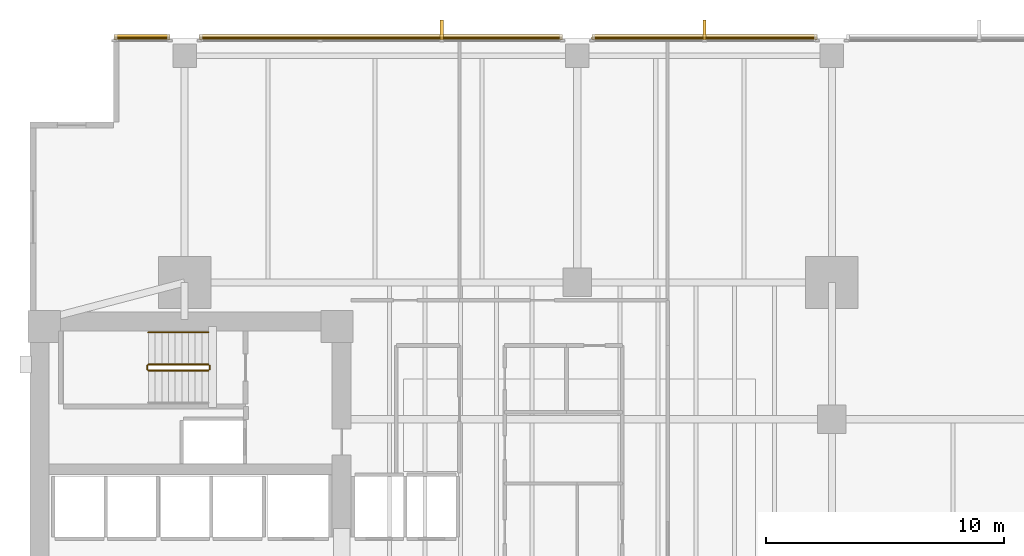
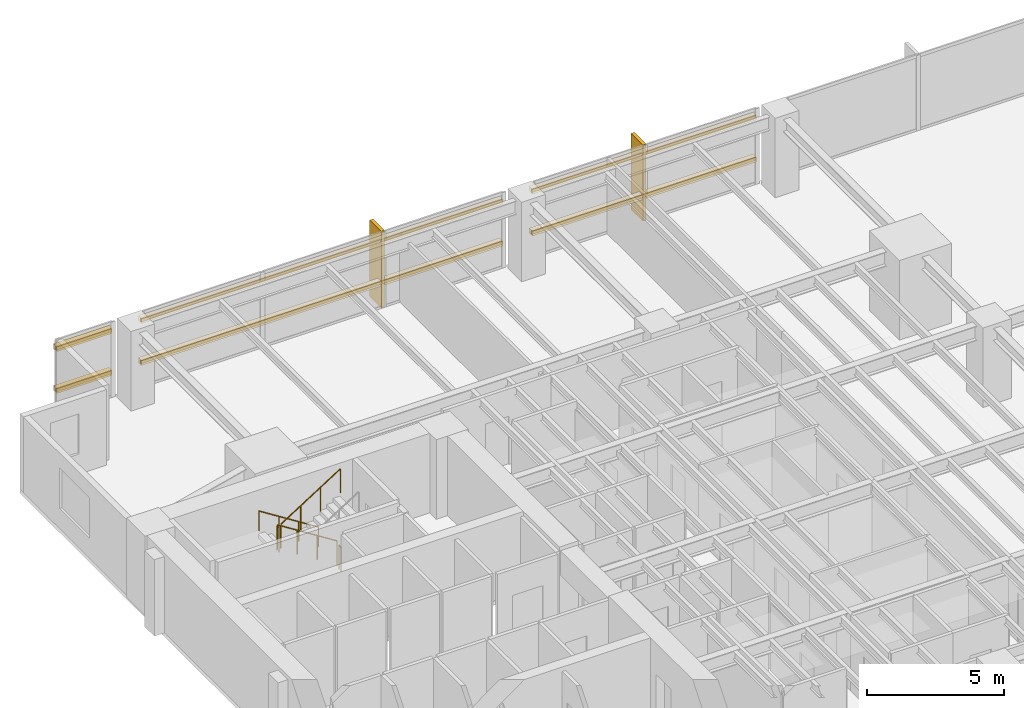
# One storey, part 14 of 15: 8 coverings, 6 shading devices, 5 railings.
"""IFC4 building model written with IfcOpenShell, lengths in metres."""

from ifc_helpers import new_model, si_unit, direction, frame, origin, origin_2d, place, context, subcontext, project, spatial, polyline, rectangle, circle, outline, extrude, material, layer, layer_set, material_profile, profile_set, type_object, element, save


model = new_model("IFC4")

# Units and contexts
model_context = context("Model", 3, precision=1e-05, world=origin(), true_north=direction((0.0, 1.0)))
body_context = subcontext(model_context, "Body", "Model", "MODEL_VIEW")
ifc_project = project(units=[si_unit("LENGTHUNIT", "METRE"), si_unit("AREAUNIT", "SQUARE_METRE"), si_unit("VOLUMEUNIT", "CUBIC_METRE"), si_unit("PLANEANGLEUNIT", "RADIAN"), si_unit("MASSUNIT", "GRAM", prefix="KILO")], contexts=[model_context])

# Site, building, storey
site_placement = place(None, origin())
site = spatial("IfcSite", under=ifc_project, at=site_placement, CompositionType="ELEMENT")
building_placement = place(site_placement, origin())
building = spatial("IfcBuilding", under=site, at=building_placement, Name="Kinhvarn Gate Tower", CompositionType="ELEMENT")
storey_placement = place(building_placement, frame((0.0, 0.0, 85.949951171875)))
storey = spatial("IfcBuildingStorey", under=building, at=storey_placement, Name="L22", CompositionType="ELEMENT", Elevation=85.949951171875)

# Coverings
ifc_material_1 = material(Name="Fired architectural terracotta", Category="masonry")
ifc_layer_1 = layer(ifc_material_1, 0.239990234375)
ifc_layer_set_1 = layer_set([ifc_layer_1], Name="Fired architectural terracotta")
covering_type_1 = type_object("IfcCoveringType", Name="COV-BAG-220", PredefinedType="CLADDING", material=ifc_layer_set_1)
covering_1_placement = place(storey_placement, frame((0.0, 0.0, 0.93994140625)))
element("IfcCovering", 1, at=covering_1_placement, inside=storey, type_object=covering_type_1, Name="Terracotta Horizontal Sunscreen Band TBG-220 (L22)", PredefinedType="CLADDING", context=body_context, shape_type="SweptSolid", body=[
    extrude(outline(polyline([(37.580078125, 47.93994140625), (28.1201171875, 47.93994140625), (28.1201171875, 48.179931640625), (37.580078125, 48.179931640625), (37.580078125, 47.93994140625)])), origin(), (0.0, 0.0, 1.0), 0.22021484375),
])
covering_2_placement = place(storey_placement, frame((0.0, 0.0, 2.81005859375)))
element("IfcCovering", 2, at=covering_2_placement, inside=storey, type_object=covering_type_1, Name="Terracotta Horizontal Sunscreen Band TBG-220 (L22)", PredefinedType="CLADDING", context=body_context, shape_type="SweptSolid", body=[
    extrude(outline(polyline([(37.580078125, 47.93994140625), (28.1201171875, 47.93994140625), (28.1201171875, 48.179931640625), (37.580078125, 48.179931640625), (37.580078125, 47.93994140625)])), origin(), (0.0, 0.0, 1.0), 0.219970703125),
])
covering_3_placement = place(storey_placement, frame((0.0, 0.0, 0.93994140625)))
element("IfcCovering", 3, at=covering_3_placement, inside=storey, type_object=covering_type_1, Name="Terracotta Horizontal Sunscreen Band TBG-220 (L22)", PredefinedType="CLADDING", context=body_context, shape_type="SweptSolid", body=[
    extrude(outline(polyline([(26.8798828125, 47.93994140625), (11.6201171875, 47.93994140625), (11.6201171875, 48.179931640625), (26.8798828125, 48.179931640625), (26.8798828125, 47.93994140625)])), origin(), (0.0, 0.0, 1.0), 0.22021484375),
])
covering_4_placement = place(storey_placement, frame((0.0, 0.0, 2.81005859375)))
element("IfcCovering", 4, at=covering_4_placement, inside=storey, type_object=covering_type_1, Name="Terracotta Horizontal Sunscreen Band TBG-220 (L22)", PredefinedType="CLADDING", context=body_context, shape_type="SweptSolid", body=[
    extrude(outline(polyline([(26.8798828125, 47.93994140625), (11.6201171875, 47.93994140625), (11.6201171875, 48.179931640625), (26.8798828125, 48.179931640625), (26.8798828125, 47.93994140625)])), origin(), (0.0, 0.0, 1.0), 0.219970703125),
])
covering_5_placement = place(storey_placement, frame((0.0, 0.0, 0.93994140625)))
element("IfcCovering", 5, at=covering_5_placement, inside=storey, type_object=covering_type_1, Name="Terracotta Horizontal Sunscreen Band TBG-220 (L22)", PredefinedType="CLADDING", context=body_context, shape_type="SweptSolid", body=[
    extrude(outline(polyline([(10.3798828125, 47.93994140625), (8.0400390625, 47.93994140625), (8.0400390625, 48.179931640625), (10.3798828125, 48.179931640625), (10.3798828125, 47.93994140625)])), origin(), (0.0, 0.0, 1.0), 0.22021484375),
])
covering_6_placement = place(storey_placement, frame((0.0, 0.0, 2.81005859375)))
element("IfcCovering", 6, at=covering_6_placement, inside=storey, type_object=covering_type_1, Name="Terracotta Horizontal Sunscreen Band TBG-220 (L22)", PredefinedType="CLADDING", context=body_context, shape_type="SweptSolid", body=[
    extrude(outline(polyline([(10.3798828125, 47.93994140625), (8.0400390625, 47.93994140625), (8.0400390625, 48.179931640625), (10.3798828125, 48.179931640625), (10.3798828125, 47.93994140625)])), origin(), (0.0, 0.0, 1.0), 0.219970703125),
])
ifc_layer_2 = layer(ifc_material_1, 0.139892578125)
ifc_layer_set_2 = layer_set([ifc_layer_2], Name="Fired architectural terracotta")
covering_type_2 = type_object("IfcCoveringType", Name="COV-FIN-850", PredefinedType="CLADDING", material=ifc_layer_set_2)
covering_7_placement = place(storey_placement, frame((0.0, 0.0, -0.02001953125)))
element("IfcCovering", 7, at=covering_7_placement, inside=storey, type_object=covering_type_2, Name="Vertical Terracotta Expressive Fin TFN-850 (L22)", PredefinedType="CLADDING", context=body_context, shape_type="SweptSolid", body=[
    extrude(outline(polyline([(32.919921875, 47.929931640625), (32.780029296875, 47.929931640625), (32.780029296875, 48.780029296875), (32.919921875, 48.780029296875), (32.919921875, 47.929931640625)])), origin(), (0.0, 0.0, 1.0), 3.41015625),
])
covering_8_placement = place(storey_placement, frame((0.0, 0.0, -0.02001953125)))
element("IfcCovering", 8, at=covering_8_placement, inside=storey, type_object=covering_type_2, Name="Vertical Terracotta Expressive Fin TFN-850 (L22)", PredefinedType="CLADDING", context=body_context, shape_type="SweptSolid", body=[
    extrude(outline(polyline([(21.876708984375, 47.929931640625), (21.73681640625, 47.929931640625), (21.73681640625, 48.780029296875), (21.876708984375, 48.780029296875), (21.876708984375, 47.929931640625)])), origin(), (0.0, 0.0, 1.0), 3.41015625),
])

# Railings
ifc_material_2 = material(Name="Steel S355", Category="steel")
railing_type_1 = type_object("IfcRailingType", Name="RL-ST-GRD", PredefinedType="BALUSTRADE", material=ifc_material_2)
railing_1_placement = place(storey_placement, frame((12.0, 34.300048828125, 0.177490234375)))
element("IfcRailing", 9, at=railing_1_placement, inside=storey, type_object=railing_type_1, Name="L22 ST2 stair guard 1", PredefinedType="BALUSTRADE", context=body_context, shape_type="SweptSolid", body=[
    extrude(circle(Radius=0.02392578125, at=origin_2d()), frame((0.0, 0.0, 1.076171875), z_axis=(-0.84456994832, 0.0, 0.535445237532), x_axis=(0.0, -1.0, 0.0)), (0.0, 0.0, 1.0), 2.98388671875),
    extrude(circle(Radius=0.02099609375, at=origin_2d()), origin(), (0.0, 0.0, 1.0), 1.052001953125),
    extrude(circle(Radius=0.02099609375, at=origin_2d()), frame((-0.840087890625, 0.0, 0.532470703125)), (0.0, 0.0, 1.0), 1.052001953125),
    extrude(circle(Radius=0.02099609375, at=origin_2d()), frame((-1.679931640625, 0.0, 1.065185546875)), (0.0, 0.0, 1.0), 1.052001953125),
    extrude(circle(Radius=0.02099609375, at=origin_2d()), frame((-2.52001953125, 0.0, 1.59765625)), (0.0, 0.0, 1.0), 1.052001953125),
])
railing_2_placement = place(storey_placement, frame((9.429931640625, 34.25, 1.775146484375)))
element("IfcRailing", 10, at=railing_2_placement, inside=storey, type_object=railing_type_1, Name="L22 ST2 stair guard 2", PredefinedType="BALUSTRADE", context=body_context, shape_type="SweptSolid", body=[
    extrude(circle(Radius=0.02392578125, at=origin_2d()), frame((0.0, 0.0, 1.076171875), z_axis=(0.0, -1.0, 0.0), x_axis=(1.0, 0.0, 0.0)), (0.0, 0.0, 1.0), 0.14990234375),
    extrude(circle(Radius=0.02099609375, at=origin_2d()), origin(), (0.0, 0.0, 1.0), 1.052001953125),
    extrude(circle(Radius=0.02099609375, at=origin_2d()), frame((0.0, -0.14990234375, 0.0)), (0.0, 0.0, 1.0), 1.052001953125),
])
railing_3_placement = place(storey_placement, frame((9.47998046875, 34.050048828125, 1.95263671875)))
element("IfcRailing", 11, at=railing_3_placement, inside=storey, type_object=railing_type_1, Name="L22 ST2 stair guard 3", PredefinedType="BALUSTRADE", context=body_context, shape_type="SweptSolid", body=[
    extrude(circle(Radius=0.02392578125, at=origin_2d()), frame((0.0, 0.0, 1.076171875), z_axis=(0.84460694969, 0.0, 0.535386869969), x_axis=(0.0, 1.0, 0.0)), (0.0, 0.0, 1.0), 2.983642578125),
    extrude(circle(Radius=0.02099609375, at=origin_2d()), origin(), (0.0, 0.0, 1.0), 1.052001953125),
    extrude(circle(Radius=0.02099609375, at=origin_2d()), frame((0.840087890625, 0.0, 0.532470703125)), (0.0, 0.0, 1.0), 1.052001953125),
    extrude(circle(Radius=0.02099609375, at=origin_2d()), frame((1.679931640625, 0.0, 1.06494140625)), (0.0, 0.0, 1.0), 1.052001953125),
    extrude(circle(Radius=0.02099609375, at=origin_2d()), frame((2.52001953125, 0.0, 1.597412109375)), (0.0, 0.0, 1.0), 1.052001953125),
])
railing_4_placement = place(storey_placement, frame((12.050048828125, 34.25, 0.0)))
element("IfcRailing", 12, at=railing_4_placement, inside=storey, type_object=railing_type_1, Name="L22 ST2 stair guard 4", PredefinedType="BALUSTRADE", context=body_context, shape_type="SweptSolid", body=[
    extrude(circle(Radius=0.02392578125, at=origin_2d()), frame((0.0, 0.0, 1.076171875), z_axis=(0.0, -1.0, 0.0), x_axis=(1.0, 0.0, 0.0)), (0.0, 0.0, 1.0), 0.14990234375),
    extrude(circle(Radius=0.02099609375, at=origin_2d()), origin(), (0.0, 0.0, 1.0), 1.052001953125),
    extrude(circle(Radius=0.02099609375, at=origin_2d()), frame((0.0, -0.14990234375, 0.0)), (0.0, 0.0, 1.0), 1.052001953125),
])
railing_type_2 = type_object("IfcRailingType", Name="RL-ST-HND", PredefinedType="HANDRAIL", material=ifc_material_2)
railing_5_placement = place(storey_placement, frame((12.0, 35.64990234375, 0.177490234375)))
element("IfcRailing", 13, at=railing_5_placement, inside=storey, type_object=railing_type_2, Name="L22 ST2 stair handrail 1", PredefinedType="HANDRAIL", context=body_context, shape_type="SweptSolid", body=[
    extrude(circle(Radius=0.02392578125, at=origin_2d()), frame((0.0, 0.0, 0.8759765625), z_axis=(-0.84456994832, 0.0, 0.535445237532), x_axis=(0.0, -1.0, 0.0)), (0.0, 0.0, 1.0), 2.98388671875),
    extrude(circle(Radius=0.02099609375, at=origin_2d()), origin(), (0.0, 0.0, 1.0), 0.851806640625),
    extrude(circle(Radius=0.02099609375, at=origin_2d()), frame((-0.840087890625, 0.0, 0.532470703125)), (0.0, 0.0, 1.0), 0.851806640625),
    extrude(circle(Radius=0.02099609375, at=origin_2d()), frame((-1.679931640625, 0.0, 1.065185546875)), (0.0, 0.0, 1.0), 0.851806640625),
    extrude(circle(Radius=0.02099609375, at=origin_2d()), frame((-2.52001953125, 0.0, 1.59765625)), (0.0, 0.0, 1.0), 0.851806640625),
])

# Shading devices
ifc_material_profile = material_profile(ifc_material_1, rectangle(XDim=0.06005859375, YDim=0.139892578125, at=origin_2d()), Name="TC 60x140")
ifc_profile_set = profile_set([ifc_material_profile], Name="Fired architectural terracotta")
shading_device_type = type_object("IfcShadingDeviceType", Name="SHD-BAG-180", PredefinedType="USERDEFINED", material=ifc_profile_set)
for number, where, z_axis, x_axis, name in (
    (14, (37.580078125, 48.014892578125, 1.050048828125), (-1.0, 0.0, 0.0), (0.0, -1.0, 0.0), "Fired Terracotta Baguette Screen Rod 60x140 mm (L22)"),
    (15, (37.580078125, 48.014892578125, 2.920166015625), (-1.0, 0.0, 0.0), (0.0, -1.0, 0.0), "Fired Terracotta Baguette Screen Rod 60x140 mm (L22)"),
):
    element("IfcShadingDevice", number, at=place(storey_placement, frame(where, z_axis=z_axis, x_axis=x_axis)), inside=storey, type_object=shading_device_type, Name=name, ObjectType="BAGUETTE", PredefinedType="USERDEFINED", context=body_context, shape_type="SweptSolid", body=[
        extrude(rectangle(XDim=0.06005859375, YDim=0.139892578125, at=origin_2d()), origin(), (0.0, 0.0, 1.0), 9.4599609375),
    ])
for number, where, z_axis, x_axis, name in (
    (16, (26.8798828125, 48.014892578125, 1.050048828125), (-1.0, 0.0, 0.0), (0.0, -1.0, 0.0), "Fired Terracotta Baguette Screen Rod 60x140 mm (L22)"),
    (17, (26.8798828125, 48.014892578125, 2.920166015625), (-1.0, 0.0, 0.0), (0.0, -1.0, 0.0), "Fired Terracotta Baguette Screen Rod 60x140 mm (L22)"),
):
    element("IfcShadingDevice", number, at=place(storey_placement, frame(where, z_axis=z_axis, x_axis=x_axis)), inside=storey, type_object=shading_device_type, Name=name, ObjectType="BAGUETTE", PredefinedType="USERDEFINED", context=body_context, shape_type="SweptSolid", body=[
        extrude(rectangle(XDim=0.06005859375, YDim=0.139892578125, at=origin_2d()), origin(), (0.0, 0.0, 1.0), 15.259765625),
    ])
for number, where, z_axis, x_axis, name in (
    (18, (10.3798828125, 48.014892578125, 1.050048828125), (-1.0, 0.0, 0.0), (0.0, -1.0, 0.0), "Fired Terracotta Baguette Screen Rod 60x140 mm (L22)"),
    (19, (10.3798828125, 48.014892578125, 2.920166015625), (-1.0, 0.0, 0.0), (0.0, -1.0, 0.0), "Fired Terracotta Baguette Screen Rod 60x140 mm (L22)"),
):
    element("IfcShadingDevice", number, at=place(storey_placement, frame(where, z_axis=z_axis, x_axis=x_axis)), inside=storey, type_object=shading_device_type, Name=name, ObjectType="BAGUETTE", PredefinedType="USERDEFINED", context=body_context, shape_type="SweptSolid", body=[
        extrude(rectangle(XDim=0.06005859375, YDim=0.139892578125, at=origin_2d()), origin(), (0.0, 0.0, 1.0), 2.33984375),
    ])

save(model, "model.ifc")
